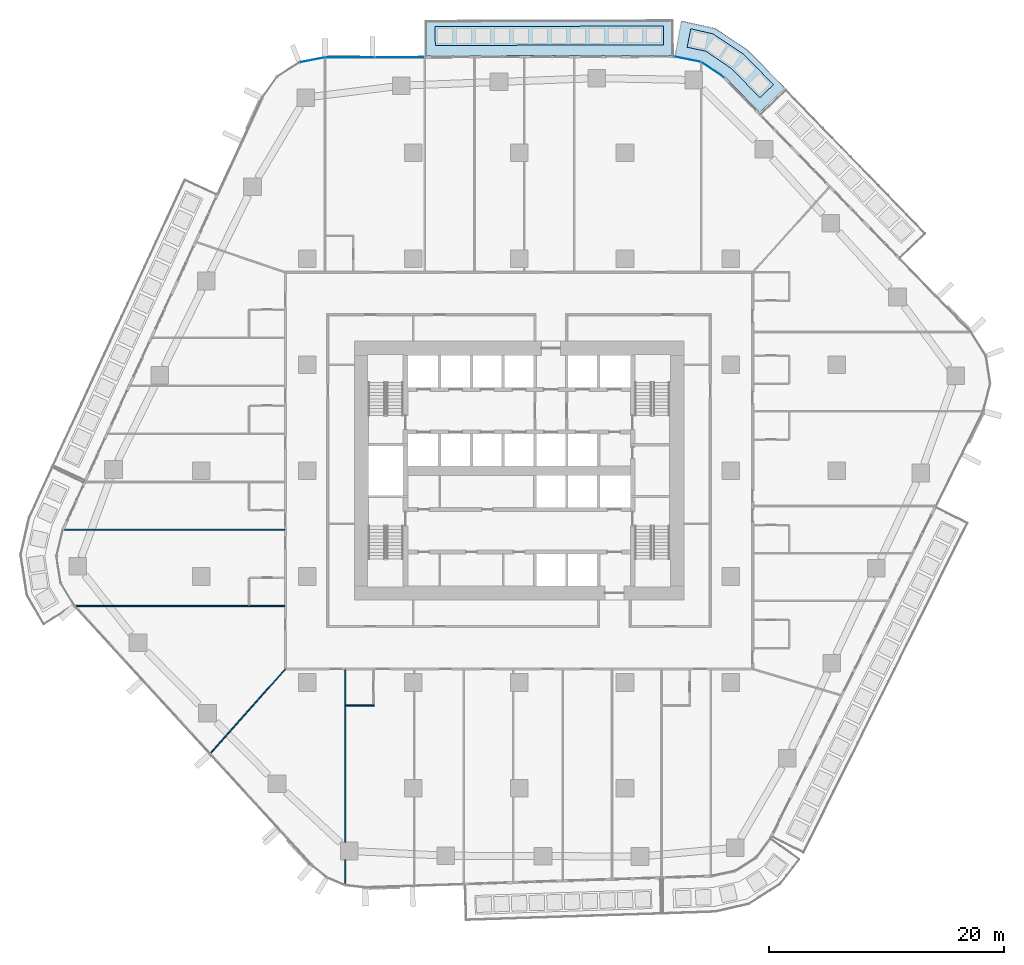
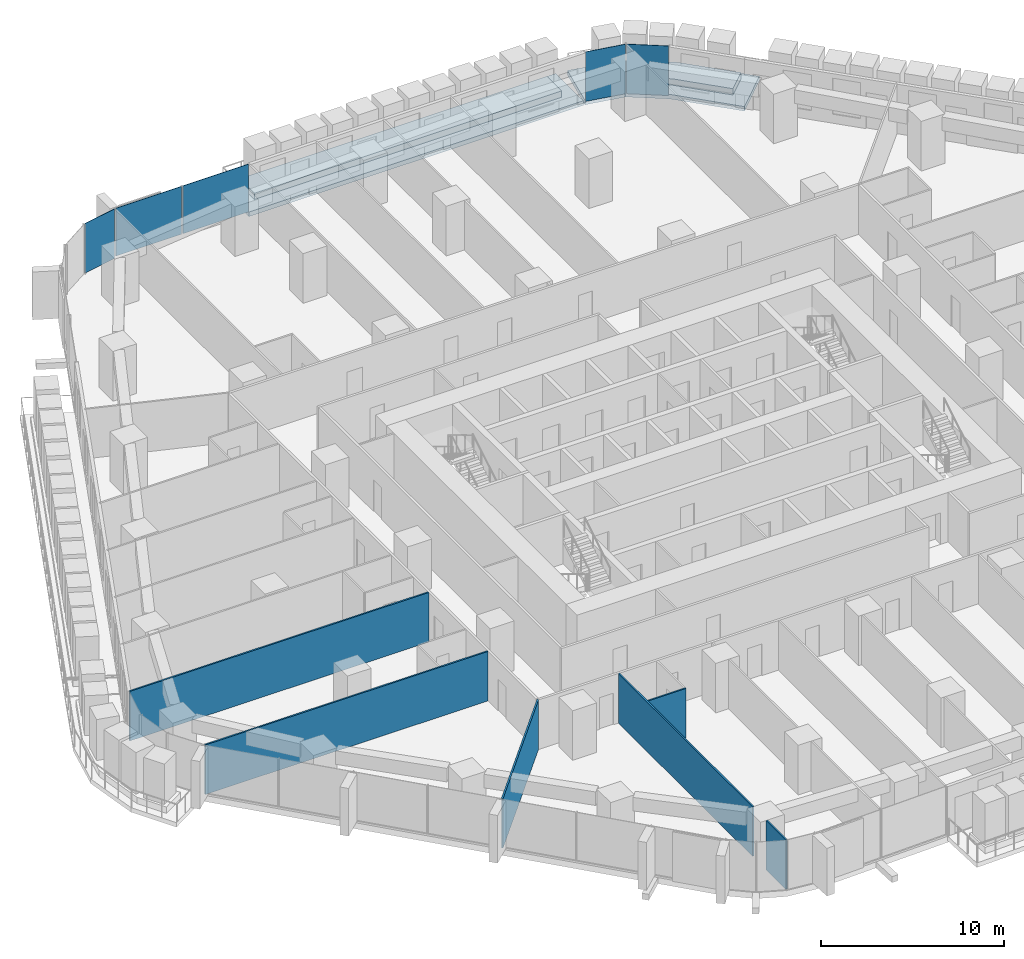
# One storey, part 12 of 27: 6 walls, 5 plates, 4 slabs, 3 elements without a shape of their own.
"""IFC4 building model written with IfcOpenShell, lengths in metres."""

from ifc_helpers import new_model, si_unit, direction, frame, frame_2d, origin, origin_2d, place, context, subcontext, project, spatial, polyline, rectangle, outline, extrude, material, layer, layer_set, type_object, element, aggregate, save


model = new_model("IFC4")

# Units and contexts
model_context = context("Model", 3, precision=1e-05, world=origin(), true_north=direction((0.0, 1.0)))
body_context = subcontext(model_context, "Body", "Model", "MODEL_VIEW")
ifc_project = project(units=[si_unit("LENGTHUNIT", "METRE"), si_unit("AREAUNIT", "SQUARE_METRE"), si_unit("VOLUMEUNIT", "CUBIC_METRE"), si_unit("PLANEANGLEUNIT", "RADIAN"), si_unit("MASSUNIT", "GRAM", prefix="KILO")], contexts=[model_context])

# Site, building, storey
site_placement = place(None, origin())
site = spatial("IfcSite", under=ifc_project, at=site_placement, CompositionType="ELEMENT")
building_placement = place(site_placement, origin())
building = spatial("IfcBuilding", under=site, at=building_placement, Name="Dongbaek Canopy Tower", CompositionType="ELEMENT")
storey_placement = place(building_placement, frame((0.0, 0.0, 58.800048828125)))
storey = spatial("IfcBuildingStorey", under=building, at=storey_placement, Name="L10", CompositionType="ELEMENT", Elevation=58.800048828125)

# Slabs
ifc_material_1 = material(Name="Concrete C40/50", Category="concrete")
ifc_layer_1 = layer(ifc_material_1, 0.300048828125)
ifc_layer_set_1 = layer_set([ifc_layer_1], Name="Balcony slab 300")
slab_type_1 = type_object("IfcSlabType", Name="Balcony slab 300", PredefinedType="FLOOR", material=ifc_layer_set_1)
slab_1_placement = place(storey_placement, frame((0.0, 0.0, -0.300048828125)))
element("IfcSlab", 1, at=slab_1_placement, inside=storey, type_object=slab_type_1, Name="Balcony L10 6", PredefinedType="FLOOR", context=body_context, shape_type="SweptSolid", body=[
    extrude(outline(polyline([(20.449951171875, 30.416259765625), (17.490966796875, 33.46875), (15.5146484375, 34.821044921875), (13.2158203125, 35.28271484375), (13.806640625, 38.22412109375), (16.680419921875, 37.585205078125), (19.424560546875, 35.762451171875), (22.60400390625, 32.50439453125), (20.449951171875, 30.416259765625)])), origin(), (0.0, 0.0, 1.0), 0.300048828125),
])
slab_2_placement = place(storey_placement, frame((0.0, 0.0, -0.300048828125)))
element("IfcSlab", 2, at=slab_2_placement, inside=storey, type_object=slab_type_1, Name="Balcony L10 2", PredefinedType="FLOOR", context=body_context, shape_type="SweptSolid", body=[
    extrude(outline(polyline([(13.116943359375, 35.29248046875), (-7.970703125, 35.236328125), (-7.978759765625, 38.236328125), (13.10888671875, 38.29248046875), (13.116943359375, 35.29248046875)])), origin(), (0.0, 0.0, 1.0), 0.300048828125),
])

# Curtain wall, plates
ifc_material_2 = material(Name="Aluminium 6063-T6 pale anodised", Category="aluminium")
ifc_layer_2 = layer(ifc_material_2, 0.199951171875)
ifc_layer_set_2 = layer_set([ifc_layer_2], Name="CW-1 unitised tower curtain wall")
curtain_wall_type = type_object("IfcCurtainWallType", Name="CW-1 unitised tower curtain wall", PredefinedType="NOTDEFINED", material=ifc_layer_set_2)
curtain_wall_1_placement = place(storey_placement, origin())
curtain_wall_1 = element("IfcCurtainWall", 3, at=curtain_wall_1_placement, inside=storey, type_object=curtain_wall_type, Name="CW-1 curtain wall K1.1", PredefinedType="NOTDEFINED")
ifc_material_3 = material(Name="Clear laminated glass", Category="glass")
ifc_layer_3 = layer(ifc_material_3, 0.028076171875)
ifc_layer_set_3 = layer_set([ifc_layer_3], Name="CW-1 glazed panel 28")
plate_type = type_object("IfcPlateType", Name="CW-1 glazed panel 28", PredefinedType="CURTAIN_PANEL", material=ifc_layer_set_3)
plate_1_placement = place(storey_placement, frame((16.450439453125, 34.0595703125, 0.0), z_axis=(0.0, 0.0, 1.0), x_axis=(-0.825317877903, 0.564668398633, 0.0)))
plate_1 = element("IfcPlate", 4, at=plate_1_placement, type_object=plate_type, Name="CW-1 panel K1.1.1.1", PredefinedType="CURTAIN_PANEL", context=body_context, shape_type="SweptSolid", body=[
    extrude(rectangle(XDim=2.2802734375, YDim=0.028076171875, at=origin_2d()), origin(), (0.0, 0.0, 1.0), 3.300048828125),
])
plate_2_placement = place(storey_placement, frame((14.31591796875, 34.959716796875, 0.0), z_axis=(0.0, 0.0, 1.0), x_axis=(-0.980416013285, 0.19693765738, 0.0)))
plate_2 = element("IfcPlate", 5, at=plate_2_placement, type_object=plate_type, Name="CW-1 panel K1.1.2.1", PredefinedType="CURTAIN_PANEL", context=body_context, shape_type="SweptSolid", body=[
    extrude(rectangle(XDim=2.2802734375, YDim=0.028076171875, at=origin_2d()), origin(), (0.0, 0.0, 1.0), 3.300048828125),
])
aggregate(curtain_wall_1, [plate_1, plate_2])

curtain_wall_2_placement = place(storey_placement, origin())
curtain_wall_2 = element("IfcCurtainWall", 6, at=curtain_wall_2_placement, inside=storey, type_object=curtain_wall_type, Name="CW-1 curtain wall F1.1", PredefinedType="NOTDEFINED")
plate_3_placement = place(storey_placement, frame((-10.13916015625, 35.13037109375, 0.1201171875), z_axis=(0.0, 0.0, 1.0), x_axis=(-0.999996447361, -0.002665570299, 0.0)))
plate_3 = element("IfcPlate", 7, at=plate_3_placement, type_object=plate_type, Name="CW-1 panel F1.1.1.1", PredefinedType="CURTAIN_PANEL", context=body_context, shape_type="SweptSolid", body=[
    extrude(rectangle(XDim=4.153564453125, YDim=0.028076171875, at=origin_2d()), origin(), (0.0, 0.0, 1.0), 3.179931640625),
])
plate_4_placement = place(storey_placement, frame((-14.3720703125, 35.119140625, 0.1201171875), z_axis=(0.0, 0.0, 1.0), x_axis=(-0.999996447361, -0.002665570299, 0.0)))
plate_4 = element("IfcPlate", 8, at=plate_4_placement, type_object=plate_type, Name="CW-1 panel F1.1.2.1", PredefinedType="CURTAIN_PANEL", context=body_context, shape_type="SweptSolid", body=[
    extrude(rectangle(XDim=4.14404296875, YDim=0.028076171875, at=origin_2d()), origin(), (0.0, 0.0, 1.0), 3.179931640625),
])
aggregate(curtain_wall_2, [plate_3, plate_4])

# Curtain wall, plate
curtain_wall_3_placement = place(storey_placement, origin())
curtain_wall_3 = element("IfcCurtainWall", 9, at=curtain_wall_3_placement, inside=storey, type_object=curtain_wall_type, Name="CW-1 curtain wall K2.1", PredefinedType="NOTDEFINED")
plate_5_placement = place(storey_placement, frame((-17.580322265625, 34.90087890625, 0.0), z_axis=(0.0, 0.0, 1.0), x_axis=(-0.981624923335, -0.190820622283, 0.0)))
plate_5 = element("IfcPlate", 10, at=plate_5_placement, type_object=plate_type, Name="CW-1 panel K2.1.1.1", PredefinedType="CURTAIN_PANEL", context=body_context, shape_type="SweptSolid", body=[
    extrude(rectangle(XDim=2.145751953125, YDim=0.028076171875, at=origin_2d()), origin(), (0.0, 0.0, 1.0), 3.300048828125),
])
aggregate(curtain_wall_3, [plate_5])

# Slabs
ifc_material_4 = material(Name="Reinforced concrete C40/50 planter box with soil", Category="concrete")
ifc_layer_4 = layer(ifc_material_4, 0.419921875)
ifc_layer_set_4 = layer_set([ifc_layer_4], Name="Terrace planter box 1600 x 420")
slab_type_2 = type_object("IfcSlabType", Name="Terrace planter box 1600 x 420", PredefinedType="USERDEFINED", material=ifc_layer_set_4)
slab_3_placement = place(storey_placement, origin())
element("IfcSlab", 11, at=slab_3_placement, inside=storey, type_object=slab_type_2, Name="Balcony planter L10 6", ObjectType="PLANTER", PredefinedType="USERDEFINED", context=body_context, shape_type="SweptSolid", body=[
    extrude(outline(polyline([(20.462646484375, 31.681884765625), (18.064453125, 34.149169921875), (15.8603515625, 35.64111328125), (14.2734375, 35.97802734375), (14.588623046875, 37.546630859375), (16.482177734375, 37.115234375), (19.095947265625, 35.37255859375), (21.611328125, 32.795654296875), (20.462646484375, 31.681884765625)])), origin(), (0.0, 0.0, 1.0), 0.419921875),
])
slab_4_placement = place(storey_placement, origin())
element("IfcSlab", 12, at=slab_4_placement, inside=storey, type_object=slab_type_2, Name="Balcony planter L10 2", ObjectType="PLANTER", PredefinedType="USERDEFINED", context=body_context, shape_type="SweptSolid", body=[
    extrude(outline(polyline([(12.264404296875, 36.18017578125), (-7.123046875, 36.12841796875), (-7.12744140625, 37.728515625), (12.26025390625, 37.7802734375), (12.264404296875, 36.18017578125)])), origin(), (0.0, 0.0, 1.0), 0.419921875),
])

# Walls
ifc_material_5 = material(Name="Gypsum board partition, steel stud, 2 x 12.5 mm board", Category="steel")
ifc_layer_5 = layer(ifc_material_5, 0.10009765625)
ifc_layer_set_5 = layer_set([ifc_layer_5], Name="Partition 100 gypsum board")
wall_type = type_object("IfcWallType", Name="Partition 100 gypsum board", PredefinedType="PARTITIONING", material=ifc_layer_set_5)
wall_1_placement = place(storey_placement, frame((-14.723876953125, -19.949951171875, 0.0), z_axis=(0.0, 0.0, 1.0), x_axis=(1.0, 0.0, 0.0)))
element("IfcWall", 13, at=wall_1_placement, inside=storey, type_object=wall_type, Name="Partition", PredefinedType="PARTITIONING", context=body_context, shape_type="SweptSolid", body=[
    extrude(rectangle(XDim=2.400146484375, YDim=0.10009765625, at=frame_2d((1.2001953125, 0.0))), origin(), (0.0, 0.0, 1.0), 3.300048828125),
])
wall_2_placement = place(storey_placement, frame((-37.735595703125, -11.498046875, 0.0), z_axis=(0.0, 0.0, 1.0), x_axis=(1.0, 0.0, 0.0)))
element("IfcWall", 14, at=wall_2_placement, inside=storey, type_object=wall_type, Name="Partition", PredefinedType="PARTITIONING", context=body_context, shape_type="SweptSolid", body=[
    extrude(rectangle(XDim=17.810546875, YDim=0.10009765625, at=frame_2d((8.9052734375, 0.0))), origin(), (0.0, 0.0, 1.0), 3.300048828125),
])
wall_3_placement = place(storey_placement, frame((-38.74755859375, -5.028076171875, 0.0), z_axis=(0.0, 0.0, 1.0), x_axis=(1.0, 0.0, 0.0)))
element("IfcWall", 15, at=wall_3_placement, inside=storey, type_object=wall_type, Name="Partition", PredefinedType="PARTITIONING", context=body_context, shape_type="SweptSolid", body=[
    extrude(rectangle(XDim=18.822509765625, YDim=0.10009765625, at=frame_2d((9.4111328125, 0.0))), origin(), (0.0, 0.0, 1.0), 3.300048828125),
])
wall_4_placement = place(storey_placement, frame((-26.25341796875, -24.0498046875, 0.0), z_axis=(0.0, 0.0, 1.0), x_axis=(0.66458555916, 0.747212175059, 0.0)))
element("IfcWall", 16, at=wall_4_placement, inside=storey, type_object=wall_type, Name="Partition", PredefinedType="PARTITIONING", context=body_context, shape_type="SweptSolid", body=[
    extrude(rectangle(XDim=9.635498046875, YDim=0.10009765625, at=frame_2d((4.81787109375, 0.0))), origin(), (0.0, 0.0, 1.0), 3.300048828125),
])
wall_5_placement = place(storey_placement, frame((-14.77392578125, -35.199951171875, 0.0), z_axis=(0.0, 0.0, 1.0), x_axis=(0.0, 1.0, 0.0)))
element("IfcWall", 17, at=wall_5_placement, inside=storey, type_object=wall_type, Name="Partition", PredefinedType="PARTITIONING", context=body_context, shape_type="SweptSolid", body=[
    extrude(rectangle(XDim=2.136962890625, YDim=0.10009765625, at=frame_2d((1.068359375, 0.0))), origin(), (0.0, 0.0, 1.0), 3.300048828125),
])
wall_6_placement = place(storey_placement, frame((-14.77392578125, -31.56298828125, 0.0), z_axis=(0.0, 0.0, 1.0), x_axis=(0.0, 1.0, 0.0)))
element("IfcWall", 18, at=wall_6_placement, inside=storey, type_object=wall_type, Name="Partition", PredefinedType="PARTITIONING", context=body_context, shape_type="SweptSolid", body=[
    extrude(rectangle(XDim=14.637939453125, YDim=0.10009765625, at=frame_2d((7.31884765625, 0.0))), origin(), (0.0, 0.0, 1.0), 3.300048828125),
])

save(model, "model.ifc")
